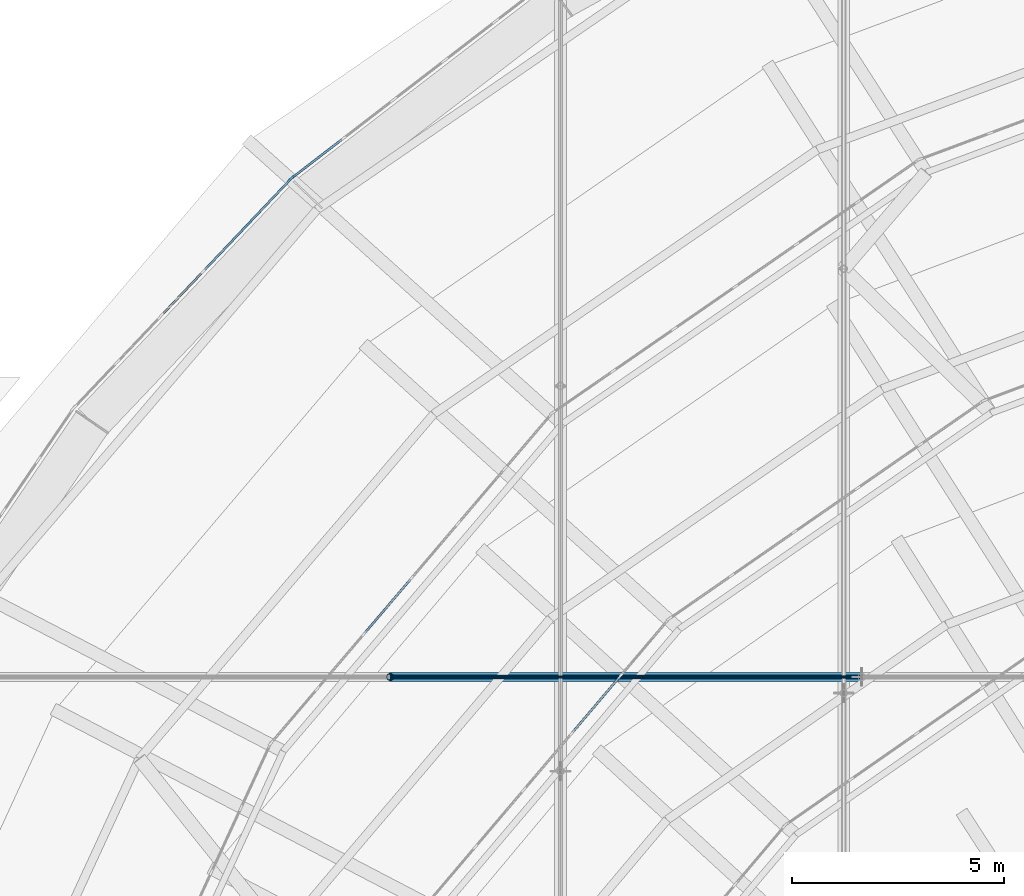
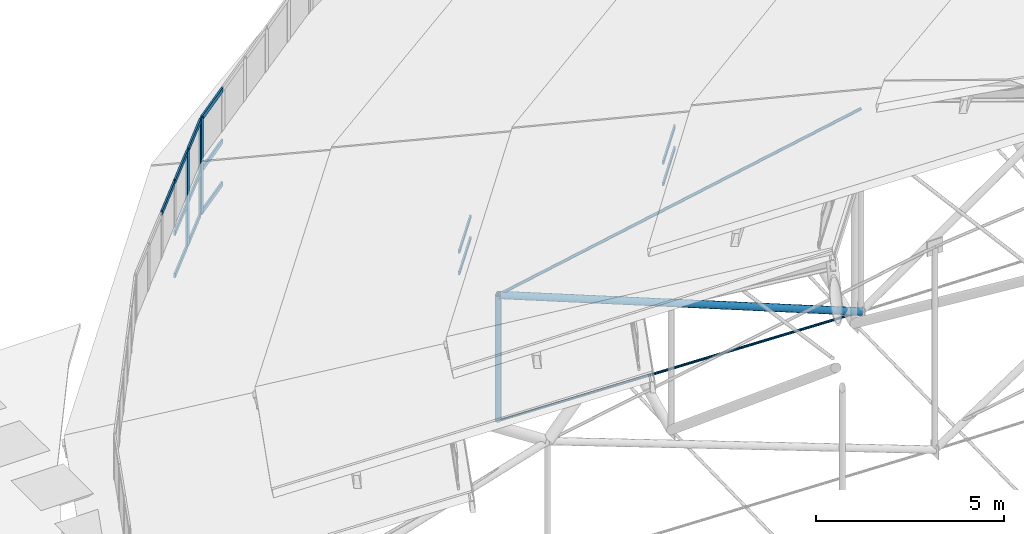
# One storey, part 102 of 173: 21 members, 4 elements without a shape of their own.
"""IFC4 building model written with IfcOpenShell, lengths in metres."""

from ifc_helpers import new_model, si_unit, direction, frame, origin, origin_2d, place, context, subcontext, project, spatial, rectangle, circle, hollow_circle, extrude, material, material_profile, profile_set, type_object, element, aggregate, save


model = new_model("IFC4")

# Units and contexts
model_context = context("Model", 3, precision=1e-05, world=origin(), true_north=direction((0.0, 1.0)))
body_context = subcontext(model_context, "Body", "Model", "MODEL_VIEW")
ifc_project = project(units=[si_unit("LENGTHUNIT", "METRE"), si_unit("AREAUNIT", "SQUARE_METRE"), si_unit("VOLUMEUNIT", "CUBIC_METRE"), si_unit("PLANEANGLEUNIT", "RADIAN"), si_unit("MASSUNIT", "GRAM", prefix="KILO")], contexts=[model_context])

# Site, building, storey
site_placement = place(None, origin())
site = spatial("IfcSite", under=ifc_project, at=site_placement, CompositionType="ELEMENT")
building_placement = place(site_placement, origin())
building = spatial("IfcBuilding", under=site, at=building_placement, Name="Glasvene Arena", CompositionType="ELEMENT")
storey_placement = place(building_placement, frame((0.0, 0.0, 28.800048828125)))
storey = spatial("IfcBuildingStorey", under=building, at=storey_placement, Name="RF", CompositionType="ELEMENT", Elevation=28.800048828125)

# Curtain wall, member
ifc_material_1 = material(Name="Low-emissivity laminated double glazing", Category="glass")
curtain_wall_type_1 = type_object("IfcCurtainWallType", Name="CW-DRUM-761x310", PredefinedType="USERDEFINED", material=ifc_material_1)
curtain_wall_1_placement = place(storey_placement, frame((62.28759765625, 109.8505859375, 0.0)))
curtain_wall_1 = element("IfcCurtainWall", 1, at=curtain_wall_1_placement, inside=storey, type_object=curtain_wall_type_1, Name="Crown compression-ring fascia curtain wall 15", ObjectType="CURTAIN WALL", PredefinedType="USERDEFINED")
ifc_material_2 = material(Name="Anodised architectural aluminium", Category="aluminium")
ifc_material_profile_1 = material_profile(ifc_material_2, rectangle(XDim=0.050048828125, YDim=0.199951171875, at=origin_2d()), Name="ALU MULLION 50x200")
ifc_profile_set_1 = profile_set([ifc_material_profile_1], Name="Anodised architectural aluminium")
member_type_1 = type_object("IfcMemberType", Name="CW-MUL-180", PredefinedType="MULLION", material=ifc_profile_set_1)
member_1_placement = place(storey_placement, frame((56.275634765625, 105.223876953125, -1.380126953125), z_axis=(0.0, 0.0, 1.0), x_axis=(0.609894880488, -0.792482324569, 0.0)))
member_1 = element("IfcMember", 2, at=member_1_placement, type_object=member_type_1, Name="CW-076 mullion 6", PredefinedType="MULLION", context=body_context, shape_type="SweptSolid", body=[
    extrude(rectangle(XDim=0.050048828125, YDim=0.199951171875, at=origin_2d()), origin(), (0.0, 0.0, 1.0), 3.10009765625),
])

# Curtain wall, members
curtain_wall_type_2 = type_object("IfcCurtainWallType", Name="CW-DRUM-749x310", PredefinedType="USERDEFINED", material=ifc_material_1)
curtain_wall_2_placement = place(storey_placement, frame((56.255859375, 105.208740234375, 0.0)))
curtain_wall_2 = element("IfcCurtainWall", 3, at=curtain_wall_2_placement, inside=storey, type_object=curtain_wall_type_2, Name="Crown compression-ring fascia curtain wall 16", ObjectType="CURTAIN WALL", PredefinedType="USERDEFINED")
member_2_placement = place(storey_placement, frame((56.238525390625, 105.190673828125, -1.380126953125), z_axis=(0.0, 0.0, 1.0), x_axis=(0.725782125252, -0.687924637344, 0.0)))
member_2 = element("IfcMember", 4, at=member_2_placement, type_object=member_type_1, Name="CW-075 mullion 1", PredefinedType="MULLION", context=body_context, shape_type="SweptSolid", body=[
    extrude(rectangle(XDim=0.050048828125, YDim=0.199951171875, at=origin_2d()), origin(), (0.0, 0.0, 1.0), 3.10009765625),
])
member_3_placement = place(storey_placement, frame((55.2255859375, 104.12158203125, -1.380126953125), z_axis=(0.0, 0.0, 1.0), x_axis=(0.725782125252, -0.687924637344, 0.0)))
member_3 = element("IfcMember", 5, at=member_3_placement, type_object=member_type_1, Name="CW-075 mullion 2", PredefinedType="MULLION", context=body_context, shape_type="SweptSolid", body=[
    extrude(rectangle(XDim=0.050048828125, YDim=0.199951171875, at=origin_2d()), origin(), (0.0, 0.0, 1.0), 3.10009765625),
])

curtain_wall_type_3 = type_object("IfcCurtainWallType", Name="CW-PET1-1026x75", PredefinedType="USERDEFINED", material=ifc_material_1)
curtain_wall_3_placement = place(storey_placement, frame((62.40771484375, 99.657958984375, 0.0)))
curtain_wall_3 = element("IfcCurtainWall", 6, at=curtain_wall_3_placement, inside=storey, type_object=curtain_wall_type_3, Name="Petal ring 1-2 clerestory curtain wall 10", ObjectType="CURTAIN WALL", PredefinedType="USERDEFINED")
ifc_material_profile_2 = material_profile(ifc_material_2, rectangle(XDim=0.050048828125, YDim=0.1201171875, at=origin_2d()), Name="ALU TRANSOM 50x120")
ifc_profile_set_2 = profile_set([ifc_material_profile_2], Name="Anodised architectural aluminium")
member_type_2 = type_object("IfcMemberType", Name="CW-TRN-120", PredefinedType="USERDEFINED", material=ifc_profile_set_2)
member_4_placement = place(storey_placement, frame((59.06591796875, 95.73486328125, 2.60498046875), z_axis=(-0.648425401794, -0.761278200337, 0.0), x_axis=(0.761278200337, -0.648425401794, 0.0)))
member_4 = element("IfcMember", 7, at=member_4_placement, type_object=member_type_2, Name="CW-083 transom 4.1", ObjectType="TRANSOM", PredefinedType="USERDEFINED", context=body_context, shape_type="SweptSolid", body=[
    extrude(rectangle(XDim=0.050048828125, YDim=0.1201171875, at=origin_2d()), origin(), (0.0, 0.0, 1.0), 1.6591796875),
])
member_5_placement = place(storey_placement, frame((59.06591796875, 95.73486328125, 3.304931640625), z_axis=(-0.648425401794, -0.761278200337, 0.0), x_axis=(0.761278200337, -0.648425401794, 0.0)))
member_5 = element("IfcMember", 8, at=member_5_placement, type_object=member_type_2, Name="CW-083 transom 4.2", ObjectType="TRANSOM", PredefinedType="USERDEFINED", context=body_context, shape_type="SweptSolid", body=[
    extrude(rectangle(XDim=0.050048828125, YDim=0.1201171875, at=origin_2d()), origin(), (0.0, 0.0, 1.0), 1.6591796875),
])
aggregate(curtain_wall_3, [member_4, member_5])

curtain_wall_type_4 = type_object("IfcCurtainWallType", Name="CW-PET2-882x75", PredefinedType="USERDEFINED", material=ifc_material_1)
curtain_wall_4_placement = place(storey_placement, frame((65.164794921875, 94.795654296875, 0.0)))
curtain_wall_4 = element("IfcCurtainWall", 9, at=curtain_wall_4_placement, inside=storey, type_object=curtain_wall_type_4, Name="Petal ring 2-3 clerestory curtain wall 10", ObjectType="CURTAIN WALL", PredefinedType="USERDEFINED")
member_6_placement = place(storey_placement, frame((64.007568359375, 93.432373046875, 5.204833984375), z_axis=(-0.647180817857, -0.76233653264, 0.0), x_axis=(0.76233653264, -0.647180817857, 0.0)))
member_6 = element("IfcMember", 10, at=member_6_placement, type_object=member_type_2, Name="CW-089 transom 2.1", ObjectType="TRANSOM", PredefinedType="USERDEFINED", context=body_context, shape_type="SweptSolid", body=[
    extrude(rectangle(XDim=0.050048828125, YDim=0.1201171875, at=origin_2d()), origin(), (0.0, 0.0, 1.0), 1.713134765625),
])
member_7_placement = place(storey_placement, frame((64.007568359375, 93.432373046875, 5.905029296875), z_axis=(-0.647180817857, -0.76233653264, 0.0), x_axis=(0.76233653264, -0.647180817857, 0.0)))
member_7 = element("IfcMember", 11, at=member_7_placement, type_object=member_type_2, Name="CW-089 transom 2.2", ObjectType="TRANSOM", PredefinedType="USERDEFINED", context=body_context, shape_type="SweptSolid", body=[
    extrude(rectangle(XDim=0.050048828125, YDim=0.1201171875, at=origin_2d()), origin(), (0.0, 0.0, 1.0), 1.713134765625),
])
aggregate(curtain_wall_4, [member_6, member_7])

# Member
ifc_material_profile_3 = material_profile(ifc_material_2, rectangle(XDim=0.050048828125, YDim=0.14990234375, at=origin_2d()), Name="ALU TRANSOM 50x150")
ifc_profile_set_3 = profile_set([ifc_material_profile_3], Name="Anodised architectural aluminium")
member_type_3 = type_object("IfcMemberType", Name="CW-TRN-150", PredefinedType="USERDEFINED", material=ifc_profile_set_3)
member_8_placement = place(storey_placement, frame((57.4423828125, 106.121826171875, -1.35498046875), z_axis=(-0.792529911732, -0.609833041914, 0.0), x_axis=(0.609833041914, -0.792529911732, 0.0)))
member_8 = element("IfcMember", 12, at=member_8_placement, type_object=member_type_3, Name="CW-076 transom 5.1", ObjectType="TRANSOM", PredefinedType="USERDEFINED", context=body_context, shape_type="SweptSolid", body=[
    extrude(rectangle(XDim=0.050048828125, YDim=0.14990234375, at=origin_2d()), origin(), (0.0, 0.0, 1.0), 1.447265625),
])

member_9_placement = place(storey_placement, frame((57.4423828125, 106.121826171875, 0.02001953125), z_axis=(-0.792529911732, -0.609833041914, 0.0), x_axis=(0.609833041914, -0.792529911732, 0.0)))
member_9 = element("IfcMember", 13, at=member_9_placement, type_object=member_type_3, Name="CW-076 transom 5.2", ObjectType="TRANSOM", PredefinedType="USERDEFINED", context=body_context, shape_type="SweptSolid", body=[
    extrude(rectangle(XDim=0.050048828125, YDim=0.14990234375, at=origin_2d()), origin(), (0.0, 0.0, 1.0), 1.447265625),
])

member_10_placement = place(storey_placement, frame((57.4423828125, 106.121826171875, 1.695068359375), z_axis=(-0.792529911732, -0.609833041914, 0.0), x_axis=(0.609833041914, -0.792529911732, 0.0)))
member_10 = element("IfcMember", 14, at=member_10_placement, type_object=member_type_3, Name="CW-076 transom 5.3", ObjectType="TRANSOM", PredefinedType="USERDEFINED", context=body_context, shape_type="SweptSolid", body=[
    extrude(rectangle(XDim=0.050048828125, YDim=0.14990234375, at=origin_2d()), origin(), (0.0, 0.0, 1.0), 1.447265625),
])

aggregate(curtain_wall_1, [member_1, member_8, member_9, member_10])

member_11_placement = place(storey_placement, frame((56.221435546875, 105.17236328125, -1.35498046875), z_axis=(-0.687977849448, -0.725731685038, 0.0), x_axis=(0.725731685038, -0.687977849448, 0.0)))
member_11 = element("IfcMember", 15, at=member_11_placement, type_object=member_type_3, Name="CW-075 transom 1.1", ObjectType="TRANSOM", PredefinedType="USERDEFINED", context=body_context, shape_type="SweptSolid", body=[
    extrude(rectangle(XDim=0.050048828125, YDim=0.14990234375, at=origin_2d()), origin(), (0.0, 0.0, 1.0), 1.422607421875),
])

member_12_placement = place(storey_placement, frame((56.221435546875, 105.17236328125, 0.02001953125), z_axis=(-0.687977849448, -0.725731685038, 0.0), x_axis=(0.725731685038, -0.687977849448, 0.0)))
member_12 = element("IfcMember", 16, at=member_12_placement, type_object=member_type_3, Name="CW-075 transom 1.2", ObjectType="TRANSOM", PredefinedType="USERDEFINED", context=body_context, shape_type="SweptSolid", body=[
    extrude(rectangle(XDim=0.050048828125, YDim=0.14990234375, at=origin_2d()), origin(), (0.0, 0.0, 1.0), 1.422607421875),
])

member_13_placement = place(storey_placement, frame((56.221435546875, 105.17236328125, 1.695068359375), z_axis=(-0.687977849448, -0.725731685038, 0.0), x_axis=(0.725731685038, -0.687977849448, 0.0)))
member_13 = element("IfcMember", 17, at=member_13_placement, type_object=member_type_3, Name="CW-075 transom 1.3", ObjectType="TRANSOM", PredefinedType="USERDEFINED", context=body_context, shape_type="SweptSolid", body=[
    extrude(rectangle(XDim=0.050048828125, YDim=0.14990234375, at=origin_2d()), origin(), (0.0, 0.0, 1.0), 1.422607421875),
])

member_14_placement = place(storey_placement, frame((55.208251953125, 104.103515625, -1.35498046875), z_axis=(-0.687880286025, -0.725824160591, 0.0), x_axis=(0.725824160591, -0.687880286025, 0.0)))
member_14 = element("IfcMember", 18, at=member_14_placement, type_object=member_type_3, Name="CW-075 transom 2.1", ObjectType="TRANSOM", PredefinedType="USERDEFINED", context=body_context, shape_type="SweptSolid", body=[
    extrude(rectangle(XDim=0.050048828125, YDim=0.14990234375, at=origin_2d()), origin(), (0.0, 0.0, 1.0), 1.44775390625),
])

member_15_placement = place(storey_placement, frame((55.208251953125, 104.103515625, 0.02001953125), z_axis=(-0.687880286025, -0.725824160591, 0.0), x_axis=(0.725824160591, -0.687880286025, 0.0)))
member_15 = element("IfcMember", 19, at=member_15_placement, type_object=member_type_3, Name="CW-075 transom 2.2", ObjectType="TRANSOM", PredefinedType="USERDEFINED", context=body_context, shape_type="SweptSolid", body=[
    extrude(rectangle(XDim=0.050048828125, YDim=0.14990234375, at=origin_2d()), origin(), (0.0, 0.0, 1.0), 1.44775390625),
])

member_16_placement = place(storey_placement, frame((55.208251953125, 104.103515625, 1.695068359375), z_axis=(-0.687880286025, -0.725824160591, 0.0), x_axis=(0.725824160591, -0.687880286025, 0.0)))
member_16 = element("IfcMember", 20, at=member_16_placement, type_object=member_type_3, Name="CW-075 transom 2.3", ObjectType="TRANSOM", PredefinedType="USERDEFINED", context=body_context, shape_type="SweptSolid", body=[
    extrude(rectangle(XDim=0.050048828125, YDim=0.14990234375, at=origin_2d()), origin(), (0.0, 0.0, 1.0), 1.44775390625),
])

member_17_placement = place(storey_placement, frame((54.177978515625, 103.0166015625, 1.695068359375), z_axis=(-0.687880286025, -0.725824160591, 0.0), x_axis=(0.725824160591, -0.687880286025, 0.0)))
member_17 = element("IfcMember", 21, at=member_17_placement, type_object=member_type_3, Name="CW-075 transom 3.3", ObjectType="TRANSOM", PredefinedType="USERDEFINED", context=body_context, shape_type="SweptSolid", body=[
    extrude(rectangle(XDim=0.050048828125, YDim=0.14990234375, at=origin_2d()), origin(), (0.0, 0.0, 1.0), 1.44775390625),
])

aggregate(curtain_wall_2, [member_2, member_3, member_11, member_12, member_13, member_14, member_15, member_16, member_17])

# Members
ifc_material_3 = material(Name="High-strength steel spiral strand S460", Category="steel")
ifc_material_profile_4 = material_profile(ifc_material_3, circle(Radius=0.03759765625, at=origin_2d()), Name="LCSS D75")
ifc_profile_set_4 = profile_set([ifc_material_profile_4], Name="High-strength steel spiral strand S460")
member_type_4 = type_object("IfcMemberType", Name="MB-CABLE-75", PredefinedType="USERDEFINED", material=ifc_profile_set_4)
member_18_placement = place(storey_placement, frame((58.58740234375, 93.4296875, -1.753173828125), z_axis=(0.999479818226, 0.0, -0.032250472225), x_axis=(0.0, 1.0, 0.0)))
element("IfcMember", 22, at=member_18_placement, inside=storey, type_object=member_type_4, Name="Lower stabilization roof cable EW07-02", ObjectType="ROOF CABLE", PredefinedType="USERDEFINED", context=body_context, shape_type="SweptSolid", body=[
    extrude(circle(Radius=0.03759765625, at=origin_2d()), origin(), (0.0, 0.0, 1.0), 11.143310546875),
])
ifc_material_profile_5 = material_profile(ifc_material_3, circle(Radius=0.044921875, at=origin_2d()), Name="LCSS D90")
ifc_profile_set_5 = profile_set([ifc_material_profile_5], Name="High-strength steel spiral strand S460")
member_type_5 = type_object("IfcMemberType", Name="MB-CABLE-90", PredefinedType="USERDEFINED", material=ifc_profile_set_5)
member_19_placement = place(storey_placement, frame((58.58740234375, 93.4296875, 2.328857421875), z_axis=(0.981970041202, 0.0, 0.189036605402), x_axis=(0.0, 1.0, 0.0)))
element("IfcMember", 23, at=member_19_placement, inside=storey, type_object=member_type_5, Name="Upper lens roof cable EW07-02", ObjectType="ROOF CABLE", PredefinedType="USERDEFINED", context=body_context, shape_type="SweptSolid", body=[
    extrude(circle(Radius=0.044921875, at=origin_2d()), origin(), (0.0, 0.0, 1.0), 11.342041015625),
])
ifc_material_4 = material(Name="Steel S355J2", Category="steel")
ifc_material_profile_6 = material_profile(ifc_material_4, hollow_circle(Radius=0.084228515625, WallThickness=0.008056640625, at=origin_2d()), Name="CHS 168.3x8.0")
ifc_profile_set_6 = profile_set([ifc_material_profile_6], Name="Steel S355J2")
member_type_6 = type_object("IfcMemberType", Name="MB-WEB-CHS168", PredefinedType="BRACE", material=ifc_profile_set_6)
member_20_placement = place(storey_placement, frame((58.58740234375, 93.4296875, -1.753173828125), z_axis=(0.0, 0.0, 1.0), x_axis=(1.0, 0.0, 0.0)))
element("IfcMember", 24, at=member_20_placement, inside=storey, type_object=member_type_6, Name="Cable-truss vertical strut EW07-01", PredefinedType="BRACE", context=body_context, shape_type="SweptSolid", body=[
    extrude(hollow_circle(Radius=0.084228515625, WallThickness=0.008056640625, at=origin_2d()), origin(), (0.0, 0.0, 1.0), 4.08203125),
])
ifc_material_profile_7 = material_profile(ifc_material_4, hollow_circle(Radius=0.109619140625, WallThickness=0.010009765625, at=origin_2d()), Name="CHS 219.1x10.0")
ifc_profile_set_7 = profile_set([ifc_material_profile_7], Name="Steel S355J2")
member_type_7 = type_object("IfcMemberType", Name="MB-WEB-CHS219", PredefinedType="BRACE", material=ifc_profile_set_7)
member_21_placement = place(storey_placement, frame((58.58740234375, 93.4296875, 2.328857421875), z_axis=(0.92886655509, 0.0, -0.370414528381), x_axis=(0.0, 1.0, 0.0)))
element("IfcMember", 25, at=member_21_placement, inside=storey, type_object=member_type_7, Name="Cable-truss diagonal web strut EW07-02", PredefinedType="BRACE", context=body_context, shape_type="SweptSolid", body=[
    extrude(hollow_circle(Radius=0.109619140625, WallThickness=0.010009765625, at=origin_2d()), origin(), (0.0, 0.0, 1.0), 11.990478515625),
])

save(model, "model.ifc")
